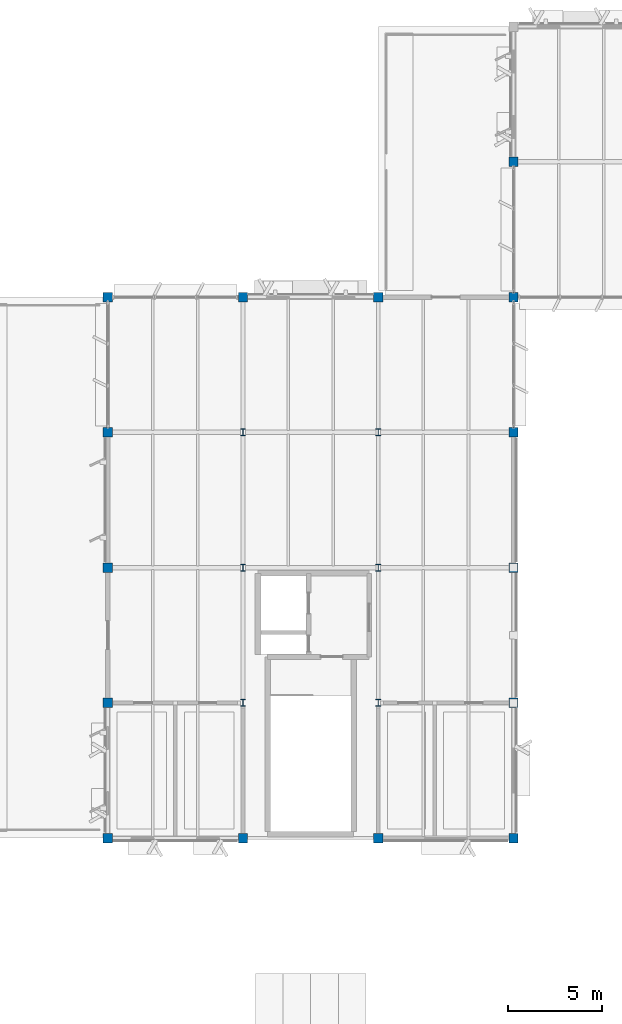
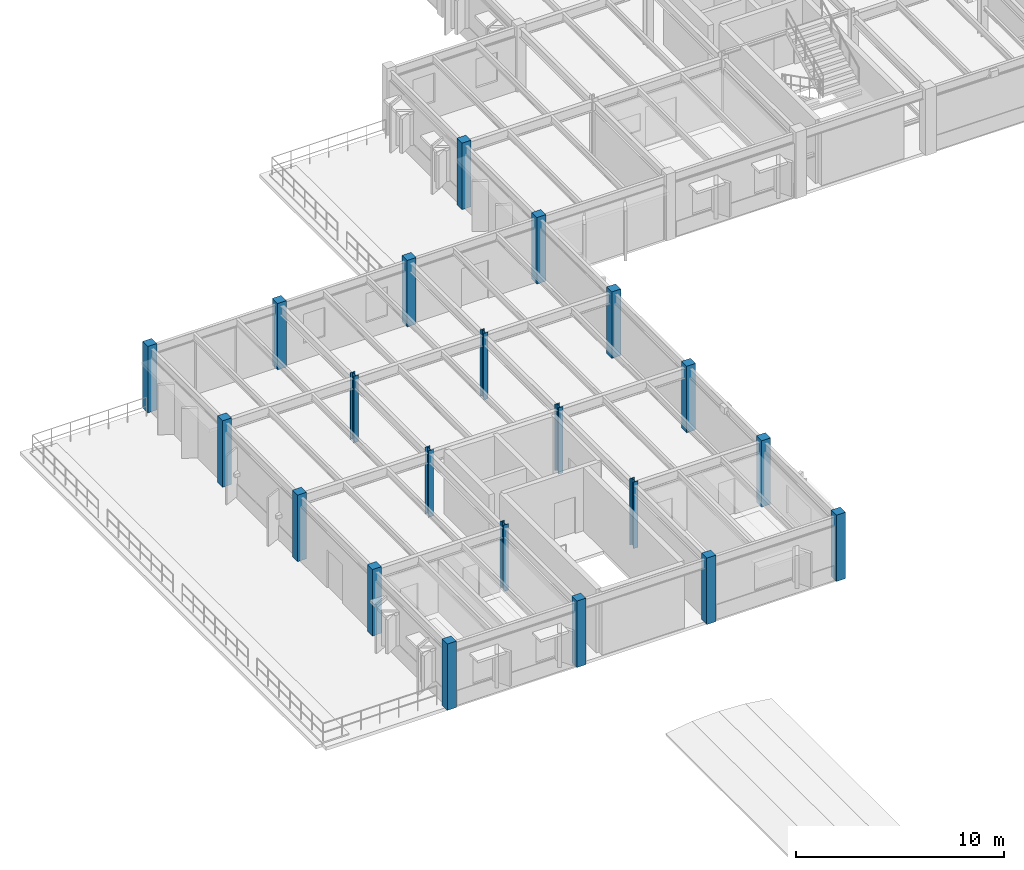
# One storey, part 1 of 35: 21 columns.
"""IFC4 building model written with IfcOpenShell, lengths in metres."""

from ifc_helpers import new_model, si_unit, direction, frame, origin, origin_2d, place, context, subcontext, project, spatial, rectangle, i_section, extrude, material, material_profile, profile_set, type_object, element, save


model = new_model("IFC4")

# Units and contexts
model_context = context("Model", 3, precision=1e-05, world=origin(), true_north=direction((0.0, 1.0)))
body_context = subcontext(model_context, "Body", "Model", "MODEL_VIEW")
ifc_project = project(units=[si_unit("LENGTHUNIT", "METRE"), si_unit("AREAUNIT", "SQUARE_METRE"), si_unit("VOLUMEUNIT", "CUBIC_METRE"), si_unit("PLANEANGLEUNIT", "RADIAN"), si_unit("MASSUNIT", "GRAM", prefix="KILO")], contexts=[model_context])

# Site, building, storey
site_placement = place(None, origin())
site = spatial("IfcSite", under=ifc_project, at=site_placement, CompositionType="ELEMENT")
building_placement = place(site_placement, origin())
building = spatial("IfcBuilding", under=site, at=building_placement, Name="Sillqori Civic Hall", CompositionType="ELEMENT")
storey_placement = place(building_placement, frame((0.0, 0.0, 18.0)))
storey = spatial("IfcBuildingStorey", under=building, at=storey_placement, Name="L05", CompositionType="ELEMENT", Elevation=18.0)

# Columns
ifc_material_1 = material(Name="Concrete C35/45 (H35)", Category="concrete")
ifc_material_profile_1 = material_profile(ifc_material_1, rectangle(XDim=0.5, YDim=0.5, at=origin_2d()), Name="RC 500x500")
ifc_profile_set_1 = profile_set([ifc_material_profile_1], Name="Concrete C35/45 (H35)")
column_type_1 = type_object("IfcColumnType", Name="COL-RC500", PredefinedType="COLUMN", material=ifc_profile_set_1)
for number, where, z_axis, x_axis, name in (
    (1, (14.39990234375, 50.39990234375, 0.0), (0.0, 0.0, 1.0), (1.0, 0.0, 0.0), "L05 column 2-7"),
    (2, (14.39990234375, 57.60009765625, 0.0), (0.0, 0.0, 1.0), (1.0, 0.0, 0.0), "L05 column 2-8"),
    (3, (14.39990234375, 64.800048828125, 0.0), (0.0, 0.0, 1.0), (1.0, 0.0, 0.0), "L05 column 2-9"),
    (4, (14.39990234375, 72.0, 0.0), (0.0, 0.0, 1.0), (1.0, 0.0, 0.0), "L05 column 2-10"),
    (5, (14.39990234375, 79.199951171875, 0.0), (0.0, 0.0, 1.0), (1.0, 0.0, 0.0), "L05 column 2-11"),
    (6, (21.60009765625, 50.39990234375, 0.0), (0.0, 0.0, 1.0), (1.0, 0.0, 0.0), "L05 column 3-7"),
    (7, (21.60009765625, 79.199951171875, 0.0), (0.0, 0.0, 1.0), (1.0, 0.0, 0.0), "L05 column 3-11"),
    (8, (28.800048828125, 50.39990234375, 0.0), (0.0, 0.0, 1.0), (1.0, 0.0, 0.0), "L05 column 4-7"),
    (9, (28.800048828125, 79.199951171875, 0.0), (0.0, 0.0, 1.0), (1.0, 0.0, 0.0), "L05 column 4-11"),
    (10, (36.0, 50.39990234375, 0.0), (0.0, 0.0, 1.0), (1.0, 0.0, 0.0), "L05 column 5-7"),
    (11, (36.0, 57.60009765625, 0.0), (0.0, 0.0, 1.0), (1.0, 0.0, 0.0), "L05 column 5-8"),
    (12, (36.0, 64.800048828125, 0.0), (0.0, 0.0, 1.0), (1.0, 0.0, 0.0), "L05 column 5-9"),
    (13, (36.0, 72.0, 0.0), (0.0, 0.0, 1.0), (1.0, 0.0, 0.0), "L05 column 5-10"),
    (14, (36.0, 79.199951171875, 0.0), (0.0, 0.0, 1.0), (1.0, 0.0, 0.0), "L05 column 5-11"),
    (15, (36.0, 86.39990234375, 0.0), (0.0, 0.0, 1.0), (1.0, 0.0, 0.0), "L05 column 5-12"),
):
    element("IfcColumn", number, at=place(storey_placement, frame(where, z_axis=z_axis, x_axis=x_axis)), inside=storey, type_object=column_type_1, Name=name, PredefinedType="COLUMN", context=body_context, shape_type="SweptSolid", body=[
        extrude(rectangle(XDim=0.5, YDim=0.5, at=origin_2d()), origin(), (0.0, 0.0, 1.0), 3.89990234375),
    ])
ifc_material_2 = material(Name="Steel ASTM A992", Category="steel")
ifc_material_profile_2 = material_profile(ifc_material_2, i_section(OverallWidth=0.257080078125, OverallDepth=0.363037109375, WebThickness=0.012939453125, FlangeThickness=0.021728515625, FilletRadius=0.014892578125, at=origin_2d()), Name="W14X82")
ifc_profile_set_2 = profile_set([ifc_material_profile_2], Name="Steel ASTM A992")
column_type_2 = type_object("IfcColumnType", Name="COL-W14X82", PredefinedType="COLUMN", material=ifc_profile_set_2)
for number, where, z_axis, x_axis, name in (
    (16, (21.60009765625, 57.60009765625, 0.0), (0.0, 0.0, 1.0), (1.0, 0.0, 0.0), "L05 column 3-8"),
    (17, (21.60009765625, 64.800048828125, 0.0), (0.0, 0.0, 1.0), (1.0, 0.0, 0.0), "L05 column 3-9"),
    (18, (21.60009765625, 72.0, 0.0), (0.0, 0.0, 1.0), (1.0, 0.0, 0.0), "L05 column 3-10"),
    (19, (28.800048828125, 57.60009765625, 0.0), (0.0, 0.0, 1.0), (1.0, 0.0, 0.0), "L05 column 4-8"),
    (20, (28.800048828125, 64.800048828125, 0.0), (0.0, 0.0, 1.0), (1.0, 0.0, 0.0), "L05 column 4-9"),
    (21, (28.800048828125, 72.0, 0.0), (0.0, 0.0, 1.0), (1.0, 0.0, 0.0), "L05 column 4-10"),
):
    element("IfcColumn", number, at=place(storey_placement, frame(where, z_axis=z_axis, x_axis=x_axis)), inside=storey, type_object=column_type_2, Name=name, PredefinedType="COLUMN", context=body_context, shape_type="SweptSolid", body=[
        extrude(i_section(OverallWidth=0.257080078125, OverallDepth=0.363037109375, WebThickness=0.012939453125, FlangeThickness=0.021728515625, FilletRadius=0.014892578125, at=origin_2d()), origin(), (0.0, 0.0, 1.0), 3.89990234375),
    ])

save(model, "model.ifc")
